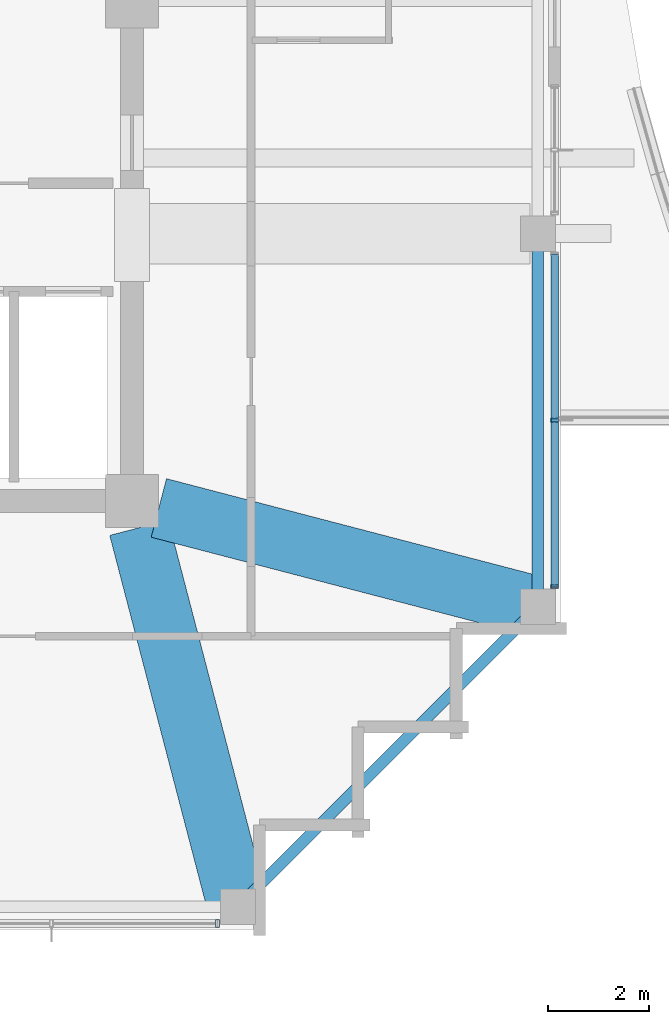
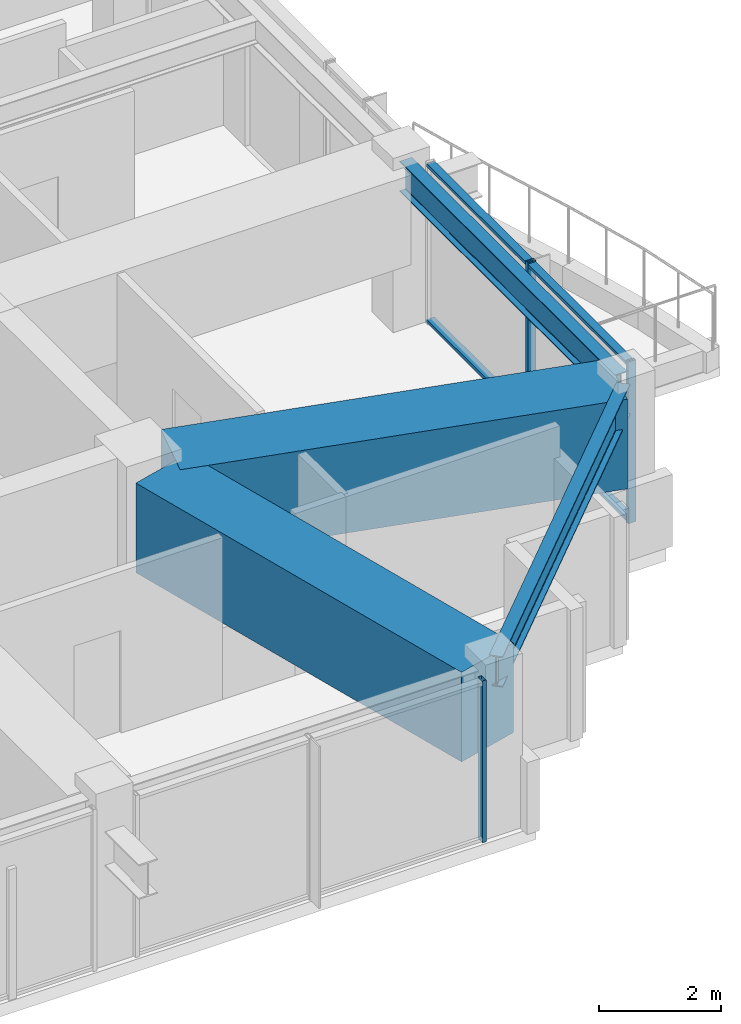
# One storey, part 11 of 31: 5 members, 4 beams, 2 elements without a shape of their own.
"""IFC4 building model written with IfcOpenShell, lengths in metres."""

from ifc_helpers import new_model, si_unit, direction, frame, origin, origin_2d, place, context, subcontext, project, spatial, rectangle, hollow_rectangle, i_section, extrude, material, material_profile, profile_set, type_object, element, aggregate, save


model = new_model("IFC4")

# Units and contexts
model_context = context("Model", 3, precision=1e-05, world=origin(), true_north=direction((0.0, 1.0)))
body_context = subcontext(model_context, "Body", "Model", "MODEL_VIEW")
ifc_project = project(units=[si_unit("LENGTHUNIT", "METRE"), si_unit("AREAUNIT", "SQUARE_METRE"), si_unit("VOLUMEUNIT", "CUBIC_METRE"), si_unit("PLANEANGLEUNIT", "RADIAN"), si_unit("MASSUNIT", "GRAM", prefix="KILO")], contexts=[model_context])

# Site, building, storey
site_placement = place(None, origin())
site = spatial("IfcSite", under=ifc_project, at=site_placement, CompositionType="ELEMENT")
building_placement = place(site_placement, origin())
building = spatial("IfcBuilding", under=site, at=building_placement, Name="Kolvaren Belvedere", CompositionType="ELEMENT")
storey_placement = place(building_placement, frame((0.0, 0.0, 237.39990234375)))
storey = spatial("IfcBuildingStorey", under=building, at=storey_placement, Name="L69", CompositionType="ELEMENT", Elevation=237.39990234375)

# Beams
ifc_material_1 = material(Name="Structural steel ASTM A992 Grade 50", Category="steel")
ifc_material_profile_1 = material_profile(ifc_material_1, i_section(OverallWidth=0.22900390625, OverallDepth=0.612060546875, WebThickness=0.011962890625, FlangeThickness=0.01953125, FilletRadius=0.01806640625, at=origin_2d()), Name="W24X84")
ifc_profile_set_1 = profile_set([ifc_material_profile_1], Name="Structural steel ASTM A992 Grade 50")
beam_type_1 = type_object("IfcBeamType", Name="BM-SPAN-W24X84", PredefinedType="SPANDREL", material=ifc_profile_set_1)
beam_1_placement = place(storey_placement, frame((12.111328125, -17.838623046875, 2.944091796875), z_axis=(0.707106781187, 0.707106781187, 0.0), x_axis=(-0.707106781187, 0.707106781187, 0.0)))
element("IfcBeam", 1, at=beam_1_placement, inside=storey, type_object=beam_type_1, Name="L69 Perimeter Spandrel S4-E1", PredefinedType="SPANDREL", context=body_context, shape_type="SweptSolid", body=[
    extrude(i_section(OverallWidth=0.22900390625, OverallDepth=0.612060546875, WebThickness=0.011962890625, FlangeThickness=0.01953125, FilletRadius=0.01806640625, at=origin_2d()), origin(), (0.0, 0.0, 1.0), 8.099609375),
])
beam_2_placement = place(storey_placement, frame((17.949951171875, -11.842529296875, 2.944091796875), z_axis=(0.0, 1.0, 0.0), x_axis=(-1.0, 0.0, 0.0)))
element("IfcBeam", 2, at=beam_2_placement, inside=storey, type_object=beam_type_1, Name="L69 Perimeter Spandrel E1-E2", PredefinedType="SPANDREL", context=body_context, shape_type="SweptSolid", body=[
    extrude(i_section(OverallWidth=0.22900390625, OverallDepth=0.612060546875, WebThickness=0.011962890625, FlangeThickness=0.01953125, FilletRadius=0.01806640625, at=origin_2d()), origin(), (0.0, 0.0, 1.0), 7.0849609375),
])
ifc_material_2 = material(Name="Concrete C50/60", Category="concrete")
ifc_material_profile_2 = material_profile(ifc_material_2, rectangle(XDim=1.199951171875, YDim=1.800048828125, at=origin_2d()), Name="RC 1200X1800")
ifc_profile_set_2 = profile_set([ifc_material_profile_2], Name="Concrete C50/60")
beam_type_2 = type_object("IfcBeamType", Name="BM-TG-1800", PredefinedType="BEAM", material=ifc_profile_set_2)
for number, where, z_axis, x_axis, name in (
    (3, (10.038818359375, -10.43212890625, 2.35009765625), (0.25241668651, -0.967618631679, 0.0), (0.967618631679, 0.25241668651, 0.0), "L69 Corner Core-to-Perimeter Girder CC2-S4"),
    (4, (10.43212890625, -10.038818359375, 2.35009765625), (0.967618631679, -0.25241668651, 0.0), (0.25241668651, 0.967618631679, 0.0), "L69 Corner Core-to-Perimeter Girder CC2-E1"),
):
    element("IfcBeam", number, at=place(storey_placement, frame(where, z_axis=z_axis, x_axis=x_axis)), inside=storey, type_object=beam_type_2, Name=name, PredefinedType="BEAM", context=body_context, shape_type="SweptSolid", body=[
        extrude(rectangle(XDim=1.199951171875, YDim=1.800048828125, at=origin_2d()), origin(), (0.0, 0.0, 1.0), 7.62939453125),
    ])

# Curtain wall, member
ifc_material_3 = material(Name="Anodised pale-metal aluminium AA 6063-T6", Category="aluminium")
curtain_wall_type = type_object("IfcCurtainWallType", Name="CW-Z5-HIGH", PredefinedType="NOTDEFINED", material=ifc_material_3)
curtain_wall_1_placement = place(storey_placement, origin())
curtain_wall_1 = element("IfcCurtainWall", 5, at=curtain_wall_1_placement, inside=storey, type_object=curtain_wall_type, Name="L69 Unitised Curtain Wall FCW-L69-S-B1", PredefinedType="NOTDEFINED")
ifc_material_4 = material(Name="Anodised pale-metal aluminium AA 6063-T6", Category="aluminium")
ifc_material_profile_3 = material_profile(ifc_material_4, hollow_rectangle(XDim=0.070068359375, YDim=0.14990234375, WallThickness=0.004150390625, at=origin_2d()), Name="ALU-MUL-150X70")
ifc_profile_set_3 = profile_set([ifc_material_profile_3], Name="Anodised pale-metal aluminium AA 6063-T6")
member_type_1 = type_object("IfcMemberType", Name="CW-MUL-150", PredefinedType="MULLION", material=ifc_profile_set_3)
member_1_placement = place(storey_placement, frame((11.594970703125, -18.280029296875, 0.0), z_axis=(0.0, 0.0, 1.0), x_axis=(1.0, 0.0, 0.0)))
member_1 = element("IfcMember", 6, at=member_1_placement, type_object=member_type_1, Name="FCW-L69-S-B1 Unitised Mullion 1", PredefinedType="MULLION", context=body_context, shape_type="SweptSolid", body=[
    extrude(hollow_rectangle(XDim=0.070068359375, YDim=0.14990234375, WallThickness=0.004150390625, at=origin_2d()), origin(), (0.0, 0.0, 1.0), 3.25),
])
aggregate(curtain_wall_1, [member_1])

# Curtain wall, members
curtain_wall_2_placement = place(storey_placement, origin())
curtain_wall_2 = element("IfcCurtainWall", 7, at=curtain_wall_2_placement, inside=storey, type_object=curtain_wall_type, Name="L69 Unitised Curtain Wall FCW-L69-E2-B2", PredefinedType="NOTDEFINED")
member_2_placement = place(storey_placement, frame((18.280029296875, -8.300048828125, 0.0), z_axis=(0.0, 0.0, 1.0), x_axis=(0.0, 1.0, 0.0)))
member_2 = element("IfcMember", 8, at=member_2_placement, type_object=member_type_1, Name="FCW-L69-E2-B2 Unitised Mullion 2", PredefinedType="MULLION", context=body_context, shape_type="SweptSolid", body=[
    extrude(hollow_rectangle(XDim=0.070068359375, YDim=0.14990234375, WallThickness=0.004150390625, at=origin_2d()), origin(), (0.0, 0.0, 1.0), 3.25),
])
member_3_placement = place(storey_placement, frame((18.280029296875, -11.594970703125, 0.0), z_axis=(0.0, 0.0, 1.0), x_axis=(0.0, 1.0, 0.0)))
member_3 = element("IfcMember", 9, at=member_3_placement, type_object=member_type_1, Name="FCW-L69-E2-B2 Unitised Mullion 3", PredefinedType="MULLION", context=body_context, shape_type="SweptSolid", body=[
    extrude(hollow_rectangle(XDim=0.070068359375, YDim=0.14990234375, WallThickness=0.004150390625, at=origin_2d()), origin(), (0.0, 0.0, 1.0), 3.25),
])
ifc_material_5 = material(Name="Anodised pale-metal aluminium AA 6063-T6", Category="aluminium")
ifc_material_profile_4 = material_profile(ifc_material_5, hollow_rectangle(XDim=0.06494140625, YDim=0.14990234375, WallThickness=0.00390625, at=origin_2d()), Name="ALU-TRN-150X65")
ifc_profile_set_4 = profile_set([ifc_material_profile_4], Name="Anodised pale-metal aluminium AA 6063-T6")
member_type_2 = type_object("IfcMemberType", Name="CW-TRN-150", PredefinedType="USERDEFINED", material=ifc_profile_set_4)
member_4_placement = place(storey_placement, frame((18.280029296875, -5.0048828125, 0.06005859375), z_axis=(0.0, -1.0, 0.0), x_axis=(0.0, 0.0, 1.0)))
member_4 = element("IfcMember", 10, at=member_4_placement, type_object=member_type_2, Name="FCW-L69-E2-B2 Sill Transom", ObjectType="TRANSOM", PredefinedType="USERDEFINED", context=body_context, shape_type="SweptSolid", body=[
    extrude(hollow_rectangle(XDim=0.06494140625, YDim=0.14990234375, WallThickness=0.00390625, at=origin_2d()), origin(), (0.0, 0.0, 1.0), 6.590087890625),
])
member_5_placement = place(storey_placement, frame((18.280029296875, -5.0048828125, 3.190185546875), z_axis=(0.0, -1.0, 0.0), x_axis=(0.0, 0.0, 1.0)))
member_5 = element("IfcMember", 11, at=member_5_placement, type_object=member_type_2, Name="FCW-L69-E2-B2 Head Transom", ObjectType="TRANSOM", PredefinedType="USERDEFINED", context=body_context, shape_type="SweptSolid", body=[
    extrude(hollow_rectangle(XDim=0.06494140625, YDim=0.14990234375, WallThickness=0.00390625, at=origin_2d()), origin(), (0.0, 0.0, 1.0), 6.590087890625),
])
aggregate(curtain_wall_2, [member_2, member_3, member_4, member_5])

save(model, "model.ifc")
